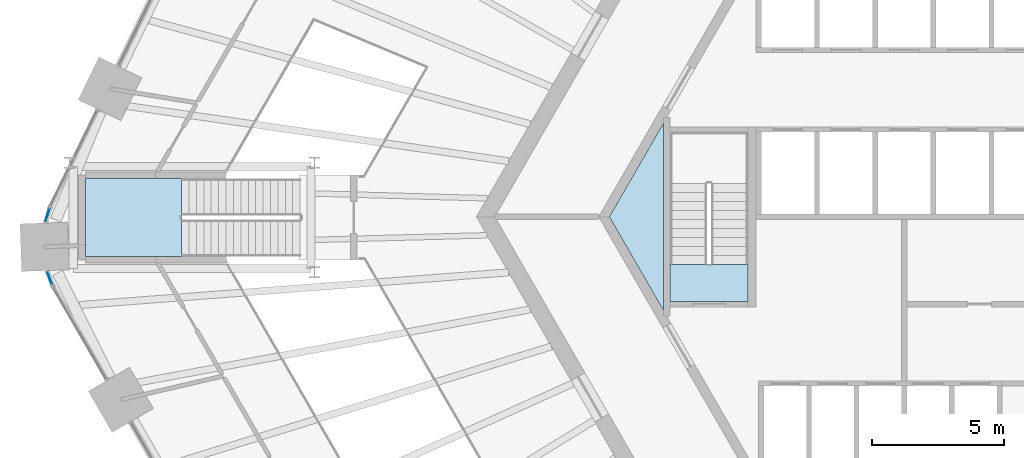
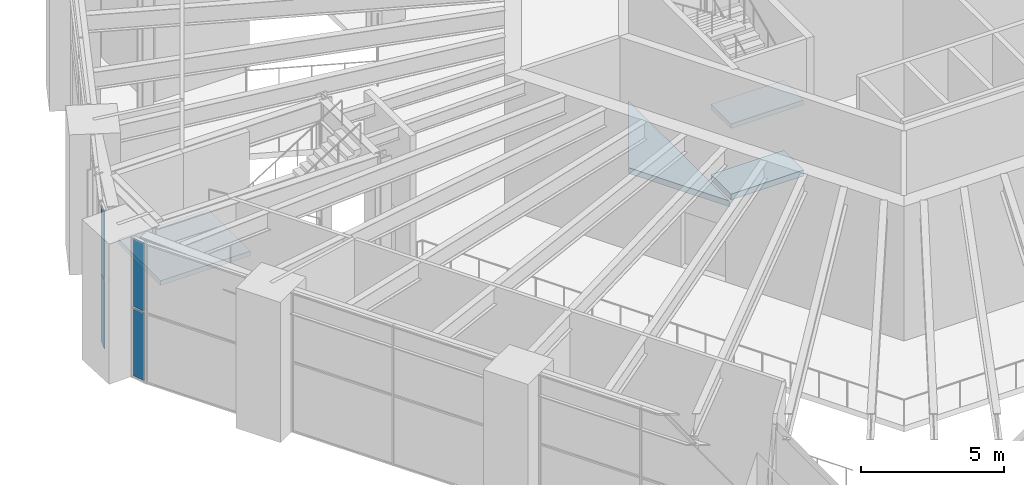
# One storey, part 15 of 32: 4 plates, 4 slabs, 4 elements without a shape of their own.
"""IFC4 building model written with IfcOpenShell, lengths in metres."""

from ifc_helpers import new_model, si_unit, direction, frame, origin, origin_2d, place, context, subcontext, project, spatial, polyline, rectangle, outline, extrude, material, layer, layer_set, type_object, element, aggregate, save


model = new_model("IFC4")

# Units and contexts
model_context = context("Model", 3, precision=1e-05, world=origin(), true_north=direction((0.0, 1.0)))
body_context = subcontext(model_context, "Body", "Model", "MODEL_VIEW")
ifc_project = project(units=[si_unit("LENGTHUNIT", "METRE"), si_unit("AREAUNIT", "SQUARE_METRE"), si_unit("VOLUMEUNIT", "CUBIC_METRE"), si_unit("PLANEANGLEUNIT", "RADIAN"), si_unit("MASSUNIT", "GRAM", prefix="KILO")], contexts=[model_context])

# Site, building, storey
site_placement = place(None, origin())
site = spatial("IfcSite", under=ifc_project, at=site_placement, CompositionType="ELEMENT")
building_placement = place(site_placement, origin())
building = spatial("IfcBuilding", under=site, at=building_placement, Name="Tarnside Tower", CompositionType="ELEMENT")
storey_placement = place(building_placement, frame((0.0, 0.0, 9.0)))
storey = spatial("IfcBuildingStorey", under=building, at=storey_placement, Name="L01", CompositionType="ELEMENT", Elevation=9.0)

# Slabs
ifc_material_1 = material(Name="Concrete C40/50", Category="concrete")
ifc_layer_1 = layer(ifc_material_1, 0.25)
ifc_layer_set_1 = layer_set([ifc_layer_1], Name="Core slab C40/50")
slab_type_1 = type_object("IfcSlabType", Name="Core slab C40/50", PredefinedType="FLOOR", material=ifc_layer_set_1)
slab_1_placement = place(storey_placement, frame((0.0, 0.0, -0.25)))
element("IfcSlab", 1, at=slab_1_placement, inside=storey, type_object=slab_type_1, Name="L01 core floor slab 4", PredefinedType="FLOOR", context=body_context, shape_type="SweptSolid", body=[
    extrude(outline(polyline([(-11.142822265625, 0.0), (-9.10009765625, 3.538330078125), (-9.10009765625, -3.538330078125), (-11.142822265625, 0.0)])), origin(), (0.0, 0.0, 1.0), 0.25),
])
slab_2_placement = place(storey_placement, frame((0.0, 0.0, -0.25)))
element("IfcSlab", 2, at=slab_2_placement, inside=storey, type_object=slab_type_1, Name="L01 core floor slab 5", PredefinedType="FLOOR", context=body_context, shape_type="SweptSolid", body=[
    extrude(outline(polyline([(-8.85009765625, -1.800048828125), (-5.89990234375, -1.800048828125), (-5.89990234375, -3.199951171875), (-8.85009765625, -3.199951171875), (-8.85009765625, -1.800048828125)])), origin(), (0.0, 0.0, 1.0), 0.25),
])

# Stair, slab
stair_type_1 = type_object("IfcStairType", Name="Podium exit stair 1400 clear", PredefinedType="HALF_TURN_STAIR", material=ifc_material_1)
stair_1_placement = place(storey_placement, origin())
stair_1 = element("IfcStair", 3, at=stair_1_placement, inside=storey, type_object=stair_type_1, Name="L01 Podium exit stair 2", PredefinedType="HALF_TURN_STAIR")
ifc_layer_2 = layer(ifc_material_1, 0.199951171875)
ifc_layer_set_2 = layer_set([ifc_layer_2], Name="Podium stair landing 200 C40/50")
slab_type_2 = type_object("IfcSlabType", Name="Podium stair landing 200 C40/50", PredefinedType="LANDING", material=ifc_layer_set_2)
slab_3_placement = place(storey_placement, frame((0.0, 0.0, 2.800048828125)))
slab_3 = element("IfcSlab", 4, at=slab_3_placement, type_object=slab_type_2, Name="PS2 landing 1", PredefinedType="LANDING", context=body_context, shape_type="SweptSolid", body=[
    extrude(outline(polyline([(-27.31005859375, 1.449951171875), (-30.949951171875, 1.449951171875), (-30.949951171875, -1.5), (-27.31005859375, -1.5), (-27.31005859375, 1.449951171875)])), origin(), (0.0, 0.0, 1.0), 0.199951171875),
])
aggregate(stair_1, [slab_3])

# Curtain wall, plates
ifc_material_2 = material(Name="Retail shopfront glazing wall", Category="glass")
curtain_wall_type = type_object("IfcCurtainWallType", Name="Retail shopfront glazing wall", PredefinedType="NOTDEFINED", material=ifc_material_2)
curtain_wall_1_placement = place(storey_placement, origin())
curtain_wall_1 = element("IfcCurtainWall", 5, at=curtain_wall_1_placement, inside=storey, type_object=curtain_wall_type, Name="Retail shopfront glazing L01 06.1", PredefinedType="NOTDEFINED")
ifc_material_3 = material(Name="Low-iron safety glass", Category="glass")
ifc_layer_3 = layer(ifc_material_3, 0.028076171875)
ifc_layer_set_3 = layer_set([ifc_layer_3], Name="Retail shopfront glazing panel 28")
plate_type = type_object("IfcPlateType", Name="Retail shopfront glazing panel 28", PredefinedType="CURTAIN_PANEL", material=ifc_layer_set_3)
plate_1_placement = place(storey_placement, frame((-32.37890625, 0.062744140625, -0.18994140625), z_axis=(0.0, 0.0, 1.0), x_axis=(-0.286803231262, -0.957989512749, 0.0)))
plate_1 = element("IfcPlate", 6, at=plate_1_placement, type_object=plate_type, Name="CW2 panel 1.1", PredefinedType="CURTAIN_PANEL", context=body_context, shape_type="SweptSolid", body=[
    extrude(rectangle(XDim=0.48828125, YDim=0.028076171875, at=origin_2d()), origin(), (0.0, 0.0, 1.0), 2.909912109375),
])
plate_2_placement = place(storey_placement, frame((-32.37890625, 0.062744140625, 2.7802734375), z_axis=(0.0, 0.0, 1.0), x_axis=(-0.286803231262, -0.957989512749, 0.0)))
plate_2 = element("IfcPlate", 7, at=plate_2_placement, type_object=plate_type, Name="CW2 panel 1.2", PredefinedType="CURTAIN_PANEL", context=body_context, shape_type="SweptSolid", body=[
    extrude(rectangle(XDim=0.48828125, YDim=0.028076171875, at=origin_2d()), origin(), (0.0, 0.0, 1.0), 2.909912109375),
])
aggregate(curtain_wall_1, [plate_1, plate_2])

curtain_wall_2_placement = place(storey_placement, origin())
curtain_wall_2 = element("IfcCurtainWall", 8, at=curtain_wall_2_placement, inside=storey, type_object=curtain_wall_type, Name="Retail shopfront glazing L01 07.0", PredefinedType="NOTDEFINED")
plate_3_placement = place(storey_placement, frame((-32.295654296875, -2.3212890625, -0.18994140625), z_axis=(0.0, 0.0, 1.0), x_axis=(0.352930563788, -0.935649516189, 0.0)))
plate_3 = element("IfcPlate", 9, at=plate_3_placement, type_object=plate_type, Name="CW2 panel 1.1", PredefinedType="CURTAIN_PANEL", context=body_context, shape_type="SweptSolid", body=[
    extrude(rectangle(XDim=0.48828125, YDim=0.028076171875, at=origin_2d()), origin(), (0.0, 0.0, 1.0), 2.909912109375),
])
plate_4_placement = place(storey_placement, frame((-32.295654296875, -2.3212890625, 2.7802734375), z_axis=(0.0, 0.0, 1.0), x_axis=(0.352930563788, -0.935649516189, 0.0)))
plate_4 = element("IfcPlate", 10, at=plate_4_placement, type_object=plate_type, Name="CW2 panel 1.2", PredefinedType="CURTAIN_PANEL", context=body_context, shape_type="SweptSolid", body=[
    extrude(rectangle(XDim=0.48828125, YDim=0.028076171875, at=origin_2d()), origin(), (0.0, 0.0, 1.0), 2.909912109375),
])
aggregate(curtain_wall_2, [plate_3, plate_4])

# Stair, slab
stair_type_2 = type_object("IfcStairType", Name="Exit stair 1400 clear", PredefinedType="HALF_TURN_STAIR", material=ifc_material_1)
stair_2_placement = place(storey_placement, origin())
stair_2 = element("IfcStair", 11, at=stair_2_placement, inside=storey, type_object=stair_type_2, Name="L01 Exit stair 2", PredefinedType="HALF_TURN_STAIR")
ifc_layer_4 = layer(ifc_material_1, 0.199951171875)
ifc_layer_set_4 = layer_set([ifc_layer_4], Name="Stair landing 200 C40/50")
slab_type_3 = type_object("IfcSlabType", Name="Stair landing 200 C40/50", PredefinedType="LANDING", material=ifc_layer_set_4)
slab_4_placement = place(storey_placement, frame((0.0, 0.0, 2.800048828125)))
slab_4 = element("IfcSlab", 12, at=slab_4_placement, type_object=slab_type_3, Name="ST2 landing 2", PredefinedType="LANDING", context=body_context, shape_type="SweptSolid", body=[
    extrude(outline(polyline([(-5.89990234375, -3.199951171875), (-5.89990234375, -1.800048828125), (-8.85009765625, -1.800048828125), (-8.85009765625, -3.199951171875), (-5.89990234375, -3.199951171875)])), origin(), (0.0, 0.0, 1.0), 0.199951171875),
])
aggregate(stair_2, [slab_4])

save(model, "model.ifc")
